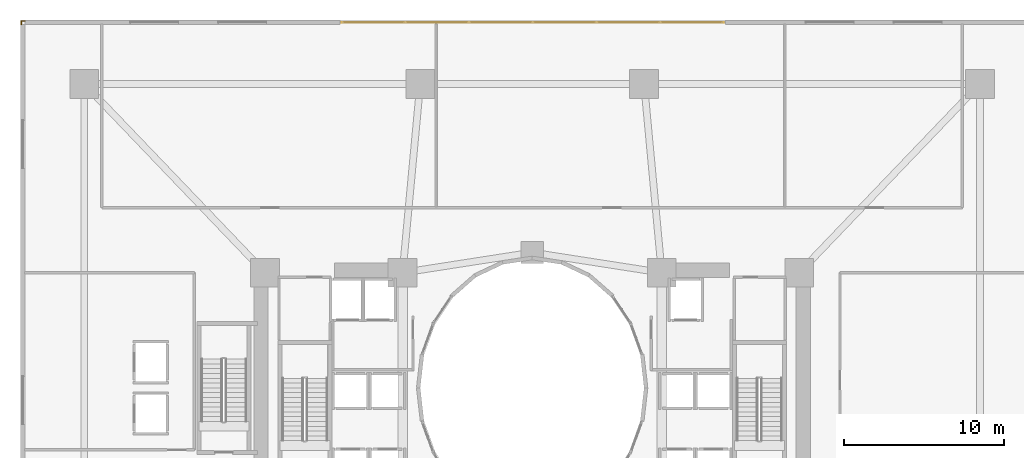
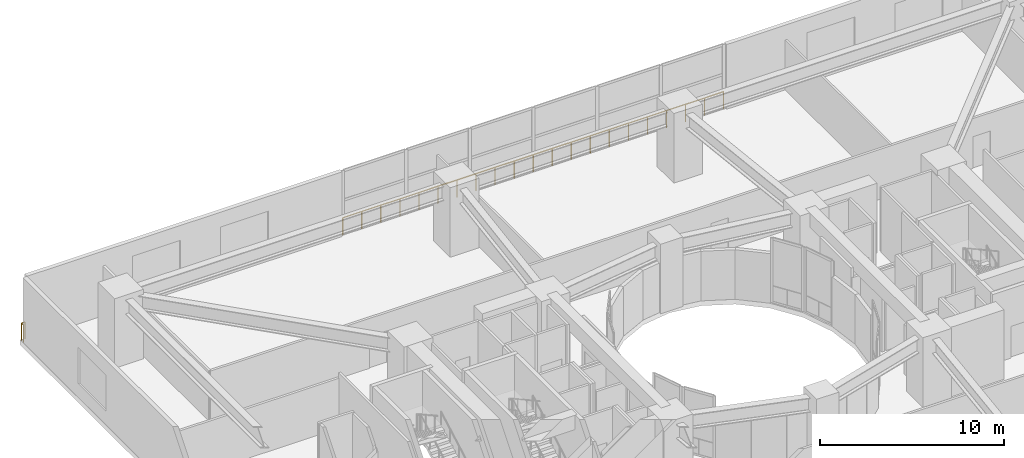
# One storey, part 24 of 25: 2 railings.
"""IFC4 building model written with IfcOpenShell, lengths in metres."""

from ifc_helpers import new_model, si_unit, direction, frame, origin, origin_2d, place, context, subcontext, project, spatial, circle, extrude, material, type_object, element, save


model = new_model("IFC4")

# Units and contexts
model_context = context("Model", 3, precision=1e-05, world=origin(), true_north=direction((0.0, 1.0)))
body_context = subcontext(model_context, "Body", "Model", "MODEL_VIEW")
ifc_project = project(units=[si_unit("LENGTHUNIT", "METRE"), si_unit("AREAUNIT", "SQUARE_METRE"), si_unit("VOLUMEUNIT", "CUBIC_METRE"), si_unit("PLANEANGLEUNIT", "RADIAN"), si_unit("MASSUNIT", "GRAM", prefix="KILO")], contexts=[model_context])

# Site, building, storey
site_placement = place(None, origin())
site = spatial("IfcSite", under=ifc_project, at=site_placement, CompositionType="ELEMENT")
building_placement = place(site_placement, origin())
building = spatial("IfcBuilding", under=site, at=building_placement, Name="Solvane Sanctuary Tower", CompositionType="ELEMENT")
storey_placement = place(building_placement, frame((0.0, 0.0, 4.60009765625)))
storey = spatial("IfcBuildingStorey", under=building, at=storey_placement, Name="L02", CompositionType="ELEMENT", Elevation=4.60009765625)

# Railings
ifc_material = material(Name="Architectural Stainless Steel 316", Category="steel")
railing_type = type_object("IfcRailingType", Name="Railing GR-BALC-1150", PredefinedType="BALUSTRADE", material=ifc_material)
railing_1_placement = place(storey_placement, frame((43.9599609375, 45.85009765625, 0.0)))
element("IfcRailing", 1, at=railing_1_placement, inside=storey, type_object=railing_type, Name="L02 Podium Curtain-Wall Sill Guard N2", PredefinedType="BALUSTRADE", context=body_context, shape_type="SweptSolid", body=[
    extrude(circle(Radius=0.02392578125, at=origin_2d()), frame((0.0, 0.0, 1.1259765625), z_axis=(-1.0, 0.0, 0.0), x_axis=(0.0, -1.0, 0.0)), (0.0, 0.0, 1.0), 23.83984375),
    extrude(circle(Radius=0.02099609375, at=origin_2d()), origin(), (0.0, 0.0, 1.0), 1.101806640625),
    extrude(circle(Radius=0.02099609375, at=origin_2d()), frame((-1.19189453125, 0.0, 0.0)), (0.0, 0.0, 1.0), 1.101806640625),
    extrude(circle(Radius=0.02099609375, at=origin_2d()), frame((-2.384033203125, 0.0, 0.0)), (0.0, 0.0, 1.0), 1.101806640625),
    extrude(circle(Radius=0.02099609375, at=origin_2d()), frame((-3.575927734375, 0.0, 0.0)), (0.0, 0.0, 1.0), 1.101806640625),
    extrude(circle(Radius=0.02099609375, at=origin_2d()), frame((-4.76806640625, 0.0, 0.0)), (0.0, 0.0, 1.0), 1.101806640625),
    extrude(circle(Radius=0.02099609375, at=origin_2d()), frame((-5.9599609375, 0.0, 0.0)), (0.0, 0.0, 1.0), 1.101806640625),
    extrude(circle(Radius=0.02099609375, at=origin_2d()), frame((-7.15185546875, 0.0, 0.0)), (0.0, 0.0, 1.0), 1.101806640625),
    extrude(circle(Radius=0.02099609375, at=origin_2d()), frame((-8.343994140625, 0.0, 0.0)), (0.0, 0.0, 1.0), 1.101806640625),
    extrude(circle(Radius=0.02099609375, at=origin_2d()), frame((-9.535888671875, 0.0, 0.0)), (0.0, 0.0, 1.0), 1.101806640625),
    extrude(circle(Radius=0.02099609375, at=origin_2d()), frame((-10.72802734375, 0.0, 0.0)), (0.0, 0.0, 1.0), 1.101806640625),
    extrude(circle(Radius=0.02099609375, at=origin_2d()), frame((-11.919921875, 0.0, 0.0)), (0.0, 0.0, 1.0), 1.101806640625),
    extrude(circle(Radius=0.02099609375, at=origin_2d()), frame((-13.11181640625, 0.0, 0.0)), (0.0, 0.0, 1.0), 1.101806640625),
    extrude(circle(Radius=0.02099609375, at=origin_2d()), frame((-14.303955078125, 0.0, 0.0)), (0.0, 0.0, 1.0), 1.101806640625),
    extrude(circle(Radius=0.02099609375, at=origin_2d()), frame((-15.495849609375, 0.0, 0.0)), (0.0, 0.0, 1.0), 1.101806640625),
    extrude(circle(Radius=0.02099609375, at=origin_2d()), frame((-16.68798828125, 0.0, 0.0)), (0.0, 0.0, 1.0), 1.101806640625),
    extrude(circle(Radius=0.02099609375, at=origin_2d()), frame((-17.8798828125, 0.0, 0.0)), (0.0, 0.0, 1.0), 1.101806640625),
    extrude(circle(Radius=0.02099609375, at=origin_2d()), frame((-19.07177734375, 0.0, 0.0)), (0.0, 0.0, 1.0), 1.101806640625),
    extrude(circle(Radius=0.02099609375, at=origin_2d()), frame((-20.263916015625, 0.0, 0.0)), (0.0, 0.0, 1.0), 1.101806640625),
    extrude(circle(Radius=0.02099609375, at=origin_2d()), frame((-21.455810546875, 0.0, 0.0)), (0.0, 0.0, 1.0), 1.101806640625),
    extrude(circle(Radius=0.02099609375, at=origin_2d()), frame((-22.64794921875, 0.0, 0.0)), (0.0, 0.0, 1.0), 1.101806640625),
    extrude(circle(Radius=0.02099609375, at=origin_2d()), frame((-23.83984375, 0.0, 0.0)), (0.0, 0.0, 1.0), 1.101806640625),
])
railing_2_placement = place(storey_placement, frame((0.06005859375, 45.719970703125, 0.0)))
element("IfcRailing", 2, at=railing_2_placement, inside=storey, type_object=railing_type, Name="L02 Perimeter Slab Edge Guardrail 02", PredefinedType="BALUSTRADE", context=body_context, shape_type="SweptSolid", body=[
    extrude(circle(Radius=0.02392578125, at=origin_2d()), frame((0.0, 0.0, 1.1259765625), z_axis=(0.0, 1.0, 0.0), x_axis=(-1.0, 0.0, 0.0)), (0.0, 0.0, 1.0), 0.219970703125),
    extrude(circle(Radius=0.02392578125, at=origin_2d()), frame((0.0, 0.219970703125, 1.1259765625), z_axis=(1.0, 0.0, 0.0), x_axis=(0.0, 1.0, 0.0)), (0.0, 0.0, 1.0), 0.219970703125),
    extrude(circle(Radius=0.02099609375, at=origin_2d()), origin(), (0.0, 0.0, 1.0), 1.101806640625),
    extrude(circle(Radius=0.02099609375, at=origin_2d()), frame((0.0, 0.219970703125, 0.0)), (0.0, 0.0, 1.0), 1.101806640625),
    extrude(circle(Radius=0.02099609375, at=origin_2d()), frame((0.219970703125, 0.219970703125, 0.0)), (0.0, 0.0, 1.0), 1.101806640625),
])

save(model, "model.ifc")
